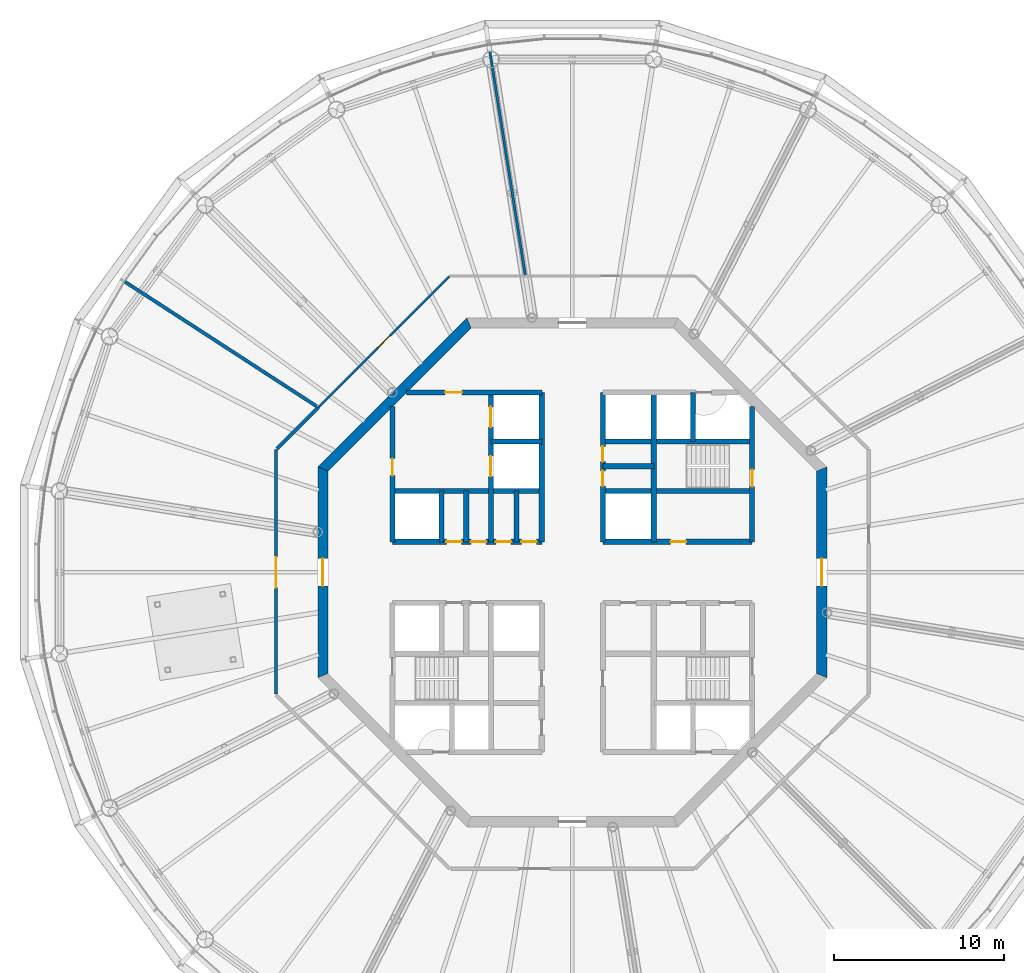
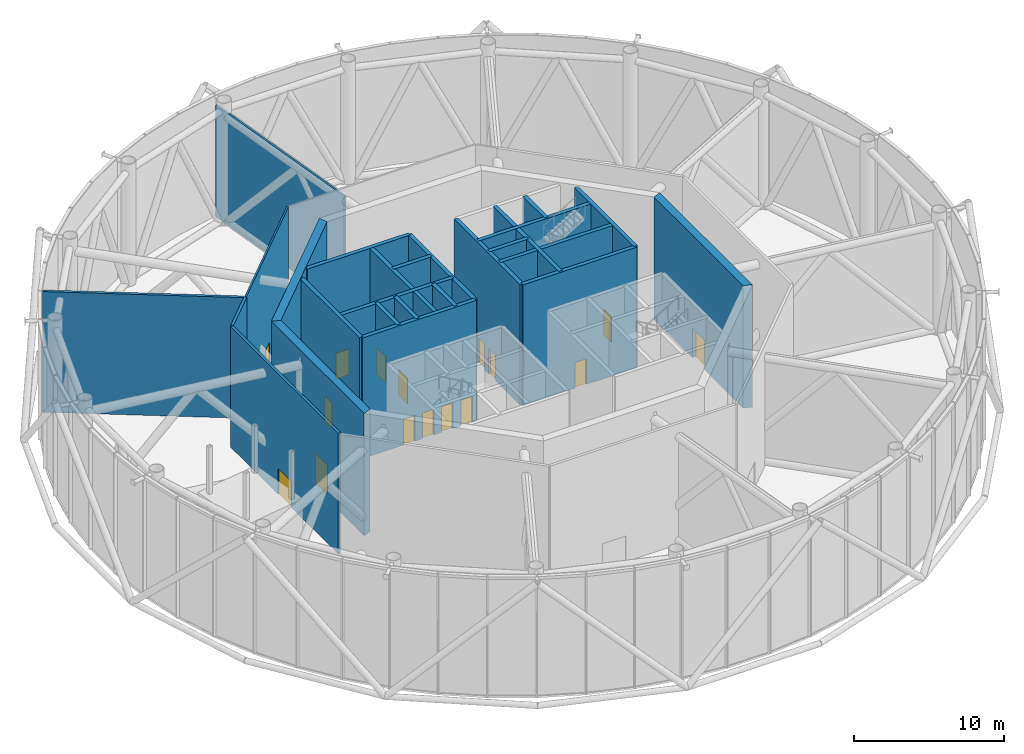
# One storey, part 7 of 23: 26 walls, 16 doors, 16 openings.
"""IFC4 building model written with IfcOpenShell, lengths in metres."""

from ifc_helpers import new_model, si_unit, direction, frame, frame_2d, origin, place, context, subcontext, project, spatial, polyline, rectangle, outline, extrude, material, layer, layer_set, type_object, element, fill, save


model = new_model("IFC4")

# Units and contexts
model_context = context("Model", 3, precision=1e-05, world=origin(), true_north=direction((0.0, 1.0)))
body_context = subcontext(model_context, "Body", "Model", "MODEL_VIEW")
ifc_project = project(units=[si_unit("LENGTHUNIT", "METRE"), si_unit("AREAUNIT", "SQUARE_METRE"), si_unit("VOLUMEUNIT", "CUBIC_METRE"), si_unit("PLANEANGLEUNIT", "RADIAN"), si_unit("MASSUNIT", "GRAM", prefix="KILO")], contexts=[model_context])

# Site, building, storey
site_placement = place(None, origin())
site = spatial("IfcSite", under=ifc_project, at=site_placement, CompositionType="ELEMENT")
building_placement = place(site_placement, origin())
building = spatial("IfcBuilding", under=site, at=building_placement, Name="Entoto Ring Tower", CompositionType="ELEMENT")
storey_placement = place(building_placement, frame((0.0, 0.0, 392.0)))
storey = spatial("IfcBuildingStorey", under=building, at=storey_placement, Name="L91", CompositionType="ELEMENT", Elevation=392.0)

# Wall, opening, door
ifc_material_1 = material(Name="Concrete C40/50", Category="concrete")
ifc_layer_1 = layer(ifc_material_1, 0.300048828125)
ifc_layer_set_1 = layer_set([ifc_layer_1], Name="Concrete C40/50")
wall_type_1 = type_object("IfcWallType", Name="Core enclosure wall 300 mm reinforced concrete", PredefinedType="SOLIDWALL", material=ifc_layer_set_1)
wall_1_placement = place(storey_placement, frame((100.60009765625, 81.800048828125, 0.0), z_axis=(0.0, 0.0, 1.0), x_axis=(0.0, 1.0, 0.0)))
wall_1 = element("IfcWall", 1, at=wall_1_placement, inside=storey, type_object=wall_type_1, Name="wall-L91-002", PredefinedType="SOLIDWALL", context=body_context, shape_type="SweptSolid", body=[
    extrude(rectangle(XDim=7.964599609375, YDim=0.300048828125, at=frame_2d((3.982421875, 0.0))), origin(), (0.0, 0.0, 1.0), 9.85009765625),
])
opening_1_placement = place(wall_1_placement, frame((3.25, 0.0, 0.0)))
opening_1 = element("IfcOpeningElement", 2, at=opening_1_placement, cuts=wall_1, Name="Opening K-65", PredefinedType="OPENING", context=body_context, shape_type="SweptSolid", body=[
    extrude(rectangle(XDim=1.0, YDim=2.10009765625, at=frame_2d((0.5, 1.050048828125))), frame((0.0, 0.16015625, 0.0), z_axis=(0.0, -1.0, 0.0), x_axis=(1.0, 0.0, 0.0)), (0.0, 0.0, 1.0), 0.320068359375),
])
ifc_material_2 = material(Name="Steel door leaf, fire rated", Category="steel")
ifc_layer_2 = layer(ifc_material_2, 0.050048828125)
ifc_layer_set_2 = layer_set([ifc_layer_2], Name="Steel door leaf, fire rated")
door_type_1 = type_object("IfcDoorType", Name="Fire door FD60 1000 x 2100 single leaf", OperationType="NOTDEFINED", PredefinedType="DOOR", material=ifc_layer_set_2)
door_1_placement = place(opening_1_placement, origin())
door_1 = element("IfcDoor", 3, at=door_1_placement, inside=storey, type_object=door_type_1, Name="Door K-65", OperationType="SINGLE_SWING_LEFT", OverallHeight=2.10009765625, OverallWidth=1.0, PredefinedType="DOOR", context=body_context, shape_type="SweptSolid", body=[
    extrude(rectangle(XDim=1.0, YDim=2.10009765625, at=frame_2d((0.5, 1.050048828125))), frame((0.0, 0.02490234375, 0.0), z_axis=(0.0, -1.0, 0.0), x_axis=(1.0, 0.0, 0.0)), (0.0, 0.0, 1.0), 0.050048828125),
])
fill(opening_1, door_1)

# Walls
wall_2_placement = place(storey_placement, frame((97.10009765625, 87.699951171875, 0.0), z_axis=(0.0, 0.0, 1.0), x_axis=(0.0, 1.0, 0.0)))
element("IfcWall", 4, at=wall_2_placement, inside=storey, type_object=wall_type_1, Name="wall-L91-005", PredefinedType="SOLIDWALL", context=body_context, shape_type="SweptSolid", body=[
    extrude(rectangle(XDim=2.900146484375, YDim=0.300048828125, at=frame_2d((1.4501953125, 0.0))), origin(), (0.0, 0.0, 1.0), 9.85009765625),
])
wall_3_placement = place(storey_placement, frame((94.800048828125, 81.800048828125, 0.0), z_axis=(0.0, 0.0, 1.0), x_axis=(0.0, 1.0, 0.0)))
element("IfcWall", 5, at=wall_3_placement, inside=storey, type_object=wall_type_1, Name="wall-L91-007", PredefinedType="SOLIDWALL", context=body_context, shape_type="SweptSolid", body=[
    extrude(rectangle(XDim=8.800048828125, YDim=0.300048828125, at=frame_2d((4.39990234375, 0.0))), origin(), (0.0, 0.0, 1.0), 9.85009765625),
])

# Wall, openings, doors
wall_4_placement = place(storey_placement, frame((91.800048828125, 81.800048828125, 0.0), z_axis=(0.0, 0.0, 1.0), x_axis=(0.0, 1.0, 0.0)))
wall_4 = element("IfcWall", 6, at=wall_4_placement, inside=storey, type_object=wall_type_1, Name="wall-L91-009", PredefinedType="SOLIDWALL", context=body_context, shape_type="SweptSolid", body=[
    extrude(rectangle(XDim=8.800048828125, YDim=0.300048828125, at=frame_2d((4.39990234375, 0.0))), origin(), (0.0, 0.0, 1.0), 9.85009765625),
])
opening_2_placement = place(wall_4_placement, frame((3.27490234375, 0.0, 0.0)))
opening_2 = element("IfcOpeningElement", 7, at=opening_2_placement, cuts=wall_4, Name="Opening K-12", PredefinedType="OPENING", context=body_context, shape_type="SweptSolid", body=[
    extrude(rectangle(XDim=0.89990234375, YDim=2.10009765625, at=frame_2d((0.449951171875, 1.050048828125))), frame((0.0, 0.16015625, 0.0), z_axis=(0.0, -1.0, 0.0), x_axis=(1.0, 0.0, 0.0)), (0.0, 0.0, 1.0), 0.320068359375),
])
opening_3_placement = place(wall_4_placement, frame((4.72509765625, 0.0, 0.0)))
opening_3 = element("IfcOpeningElement", 8, at=opening_3_placement, cuts=wall_4, Name="Opening K-46", PredefinedType="OPENING", context=body_context, shape_type="SweptSolid", body=[
    extrude(rectangle(XDim=0.89990234375, YDim=2.10009765625, at=frame_2d((0.449951171875, 1.050048828125))), frame((0.0, 0.16015625, 0.0), z_axis=(0.0, -1.0, 0.0), x_axis=(1.0, 0.0, 0.0)), (0.0, 0.0, 1.0), 0.320068359375),
])
ifc_material_3 = material(Name="Steel door leaf, fire rated", Category="steel")
ifc_layer_3 = layer(ifc_material_3, 0.050048828125)
ifc_layer_set_3 = layer_set([ifc_layer_3], Name="Steel door leaf, fire rated")
door_type_2 = type_object("IfcDoorType", Name="Core door 900 x 2100 single leaf", OperationType="NOTDEFINED", PredefinedType="DOOR", material=ifc_layer_set_3)
door_2_placement = place(opening_2_placement, origin())
door_2 = element("IfcDoor", 9, at=door_2_placement, inside=storey, type_object=door_type_2, Name="Door K-12", OperationType="SINGLE_SWING_RIGHT", OverallHeight=2.10009765625, OverallWidth=0.89990234375, PredefinedType="DOOR", context=body_context, shape_type="SweptSolid", body=[
    extrude(rectangle(XDim=0.89990234375, YDim=2.10009765625, at=frame_2d((0.449951171875, 1.050048828125))), frame((0.0, 0.02490234375, 0.0), z_axis=(0.0, -1.0, 0.0), x_axis=(1.0, 0.0, 0.0)), (0.0, 0.0, 1.0), 0.050048828125),
])
fill(opening_2, door_2)
door_3_placement = place(opening_3_placement, origin())
door_3 = element("IfcDoor", 10, at=door_3_placement, inside=storey, type_object=door_type_2, Name="Door K-46", OperationType="SINGLE_SWING_RIGHT", OverallHeight=2.10009765625, OverallWidth=0.89990234375, PredefinedType="DOOR", context=body_context, shape_type="SweptSolid", body=[
    extrude(rectangle(XDim=0.89990234375, YDim=2.10009765625, at=frame_2d((0.449951171875, 1.050048828125))), frame((0.0, 0.02490234375, 0.0), z_axis=(0.0, -1.0, 0.0), x_axis=(1.0, 0.0, 0.0)), (0.0, 0.0, 1.0), 0.050048828125),
])
fill(opening_3, door_3)

# Walls
wall_5_placement = place(storey_placement, frame((88.199951171875, 81.800048828125, 0.0), z_axis=(0.0, 0.0, 1.0), x_axis=(0.0, 1.0, 0.0)))
element("IfcWall", 11, at=wall_5_placement, inside=storey, type_object=wall_type_1, Name="wall-L91-011", PredefinedType="SOLIDWALL", context=body_context, shape_type="SweptSolid", body=[
    extrude(rectangle(XDim=8.800048828125, YDim=0.300048828125, at=frame_2d((4.39990234375, 0.0))), origin(), (0.0, 0.0, 1.0), 9.85009765625),
])
wall_6_placement = place(storey_placement, frame((86.699951171875, 81.800048828125, 0.0), z_axis=(0.0, 0.0, 1.0), x_axis=(0.0, 1.0, 0.0)))
element("IfcWall", 12, at=wall_6_placement, inside=storey, type_object=wall_type_1, Name="wall-L91-012", PredefinedType="SOLIDWALL", context=body_context, shape_type="SweptSolid", body=[
    extrude(rectangle(XDim=3.0, YDim=0.300048828125, at=frame_2d((1.5, 0.0))), origin(), (0.0, 0.0, 1.0), 9.85009765625),
])

# Wall, openings, doors
wall_7_placement = place(storey_placement, frame((85.199951171875, 81.800048828125, 0.0), z_axis=(0.0, 0.0, 1.0), x_axis=(0.0, 1.0, 0.0)))
wall_7 = element("IfcWall", 13, at=wall_7_placement, inside=storey, type_object=wall_type_1, Name="wall-L91-014", PredefinedType="SOLIDWALL", context=body_context, shape_type="SweptSolid", body=[
    extrude(rectangle(XDim=8.800048828125, YDim=0.300048828125, at=frame_2d((4.39990234375, 0.0))), origin(), (0.0, 0.0, 1.0), 9.85009765625),
])
opening_4_placement = place(wall_7_placement, frame((3.85009765625, 0.0, 0.0)))
opening_4 = element("IfcOpeningElement", 14, at=opening_4_placement, cuts=wall_7, Name="Opening LD", PredefinedType="OPENING", context=body_context, shape_type="SweptSolid", body=[
    extrude(rectangle(XDim=1.199951171875, YDim=2.10009765625, at=frame_2d((0.60009765625, 1.050048828125))), frame((0.0, 0.16015625, 0.0), z_axis=(0.0, -1.0, 0.0), x_axis=(1.0, 0.0, 0.0)), (0.0, 0.0, 1.0), 0.320068359375),
])
opening_5_placement = place(wall_7_placement, frame((6.75, 0.0, 0.0)))
opening_5 = element("IfcOpeningElement", 15, at=opening_5_placement, cuts=wall_7, Name="Opening LD", PredefinedType="OPENING", context=body_context, shape_type="SweptSolid", body=[
    extrude(rectangle(XDim=1.199951171875, YDim=2.10009765625, at=frame_2d((0.60009765625, 1.050048828125))), frame((0.0, 0.16015625, 0.0), z_axis=(0.0, -1.0, 0.0), x_axis=(1.0, 0.0, 0.0)), (0.0, 0.0, 1.0), 0.320068359375),
])
ifc_material_4 = material(Name="Steel and glass door leaf", Category="steel")
ifc_layer_4 = layer(ifc_material_4, 0.050048828125)
ifc_layer_set_4 = layer_set([ifc_layer_4], Name="Steel and glass door leaf")
door_type_3 = type_object("IfcDoorType", Name="Landing door 1200 x 2100 sliding", OperationType="DOUBLE_DOOR_SLIDING", PredefinedType="DOOR", material=ifc_layer_set_4)
door_4_placement = place(opening_4_placement, origin())
door_4 = element("IfcDoor", 16, at=door_4_placement, inside=storey, type_object=door_type_3, Name="Landing door FF1", OperationType="SLIDING_TO_RIGHT", OverallHeight=2.10009765625, OverallWidth=1.199951171875, PredefinedType="DOOR", context=body_context, shape_type="SweptSolid", body=[
    extrude(rectangle(XDim=1.199951171875, YDim=2.10009765625, at=frame_2d((0.60009765625, 1.050048828125))), frame((0.0, 0.02490234375, 0.0), z_axis=(0.0, -1.0, 0.0), x_axis=(1.0, 0.0, 0.0)), (0.0, 0.0, 1.0), 0.050048828125),
])
fill(opening_4, door_4)
door_5_placement = place(opening_5_placement, origin())
door_5 = element("IfcDoor", 17, at=door_5_placement, inside=storey, type_object=door_type_3, Name="Landing door FF2", OperationType="SLIDING_TO_RIGHT", OverallHeight=2.10009765625, OverallWidth=1.199951171875, PredefinedType="DOOR", context=body_context, shape_type="SweptSolid", body=[
    extrude(rectangle(XDim=1.199951171875, YDim=2.10009765625, at=frame_2d((0.60009765625, 1.050048828125))), frame((0.0, 0.02490234375, 0.0), z_axis=(0.0, -1.0, 0.0), x_axis=(1.0, 0.0, 0.0)), (0.0, 0.0, 1.0), 0.050048828125),
])
fill(opening_5, door_5)

# Walls
for number, where, z_axis, x_axis, name in (
    (18, (83.75, 81.800048828125, 0.0), (0.0, 0.0, 1.0), (0.0, 1.0, 0.0), "wall-L91-016"),
    (19, (82.300048828125, 81.800048828125, 0.0), (0.0, 0.0, 1.0), (0.0, 1.0, 0.0), "wall-L91-019"),
):
    element("IfcWall", number, at=place(storey_placement, frame(where, z_axis=z_axis, x_axis=x_axis)), inside=storey, type_object=wall_type_1, Name=name, PredefinedType="SOLIDWALL", context=body_context, shape_type="SweptSolid", body=[
        extrude(rectangle(XDim=3.0, YDim=0.300048828125, at=frame_2d((1.5, 0.0))), origin(), (0.0, 0.0, 1.0), 9.85009765625),
    ])

# Wall, opening, door
wall_8_placement = place(storey_placement, frame((79.39990234375, 81.800048828125, 0.0), z_axis=(0.0, 0.0, 1.0), x_axis=(0.0, 1.0, 0.0)))
wall_8 = element("IfcWall", 20, at=wall_8_placement, inside=storey, type_object=wall_type_1, Name="wall-L91-021", PredefinedType="SOLIDWALL", context=body_context, shape_type="SweptSolid", body=[
    extrude(rectangle(XDim=7.964599609375, YDim=0.300048828125, at=frame_2d((3.982421875, 0.0))), origin(), (0.0, 0.0, 1.0), 9.85009765625),
])
opening_6_placement = place(wall_8_placement, frame((3.89990234375, 0.0, 0.0)))
opening_6 = element("IfcOpeningElement", 21, at=opening_6_placement, cuts=wall_8, Name="Opening K-26", PredefinedType="OPENING", context=body_context, shape_type="SweptSolid", body=[
    extrude(rectangle(XDim=1.0, YDim=2.10009765625, at=frame_2d((0.5, 1.050048828125))), frame((0.0, 0.16015625, 0.0), z_axis=(0.0, -1.0, 0.0), x_axis=(1.0, 0.0, 0.0)), (0.0, 0.0, 1.0), 0.320068359375),
])
door_6_placement = place(opening_6_placement, frame((1.0, 0.0, 0.0), z_axis=(0.0, 0.0, 1.0), x_axis=(-1.0, 0.0, 0.0)))
door_6 = element("IfcDoor", 22, at=door_6_placement, inside=storey, type_object=door_type_1, Name="Door K-26", OperationType="SINGLE_SWING_LEFT", OverallHeight=2.10009765625, OverallWidth=1.0, PredefinedType="DOOR", context=body_context, shape_type="SweptSolid", body=[
    extrude(rectangle(XDim=1.0, YDim=2.10009765625, at=frame_2d((0.5, 1.050048828125))), frame((0.0, 0.02490234375, 0.0), z_axis=(0.0, -1.0, 0.0), x_axis=(1.0, 0.0, 0.0)), (0.0, 0.0, 1.0), 0.050048828125),
])
fill(opening_6, door_6)

# Wall, openings, doors
wall_9_placement = place(storey_placement, frame((79.39990234375, 81.800048828125, 0.0), z_axis=(0.0, 0.0, 1.0), x_axis=(1.0, 0.0, 0.0)))
wall_9 = element("IfcWall", 23, at=wall_9_placement, inside=storey, type_object=wall_type_1, Name="wall-L91-030", PredefinedType="SOLIDWALL", context=body_context, shape_type="SweptSolid", body=[
    extrude(rectangle(XDim=8.800048828125, YDim=0.300048828125, at=frame_2d((4.39990234375, 0.0))), origin(), (0.0, 0.0, 1.0), 9.85009765625),
])
opening_7_placement = place(wall_9_placement, frame((3.175048828125, 0.0, 0.0)))
opening_7 = element("IfcOpeningElement", 24, at=opening_7_placement, cuts=wall_9, Name="Opening K-06", PredefinedType="OPENING", context=body_context, shape_type="SweptSolid", body=[
    extrude(rectangle(XDim=0.89990234375, YDim=2.10009765625, at=frame_2d((0.449951171875, 1.050048828125))), frame((0.0, 0.16015625, 0.0), z_axis=(0.0, -1.0, 0.0), x_axis=(1.0, 0.0, 0.0)), (0.0, 0.0, 1.0), 0.320068359375),
])
opening_8_placement = place(wall_9_placement, frame((4.625, 0.0, 0.0)))
opening_8 = element("IfcOpeningElement", 25, at=opening_8_placement, cuts=wall_9, Name="Opening K-07", PredefinedType="OPENING", context=body_context, shape_type="SweptSolid", body=[
    extrude(rectangle(XDim=0.89990234375, YDim=2.10009765625, at=frame_2d((0.449951171875, 1.050048828125))), frame((0.0, 0.16015625, 0.0), z_axis=(0.0, -1.0, 0.0), x_axis=(1.0, 0.0, 0.0)), (0.0, 0.0, 1.0), 0.320068359375),
])
opening_9_placement = place(wall_9_placement, frame((6.10009765625, 0.0, 0.0)))
opening_9 = element("IfcOpeningElement", 26, at=opening_9_placement, cuts=wall_9, Name="Opening K-57", PredefinedType="OPENING", context=body_context, shape_type="SweptSolid", body=[
    extrude(rectangle(XDim=0.89990234375, YDim=2.10009765625, at=frame_2d((0.449951171875, 1.050048828125))), frame((0.0, 0.16015625, 0.0), z_axis=(0.0, -1.0, 0.0), x_axis=(1.0, 0.0, 0.0)), (0.0, 0.0, 1.0), 0.320068359375),
])
opening_10_placement = place(wall_9_placement, frame((7.60009765625, 0.0, 0.0)))
opening_10 = element("IfcOpeningElement", 27, at=opening_10_placement, cuts=wall_9, Name="Opening K-18", PredefinedType="OPENING", context=body_context, shape_type="SweptSolid", body=[
    extrude(rectangle(XDim=0.89990234375, YDim=2.10009765625, at=frame_2d((0.449951171875, 1.050048828125))), frame((0.0, 0.16015625, 0.0), z_axis=(0.0, -1.0, 0.0), x_axis=(1.0, 0.0, 0.0)), (0.0, 0.0, 1.0), 0.320068359375),
])
door_7_placement = place(opening_7_placement, frame((0.89990234375, 0.0, 0.0), z_axis=(0.0, 0.0, 1.0), x_axis=(-1.0, 0.0, 0.0)))
door_7 = element("IfcDoor", 28, at=door_7_placement, inside=storey, type_object=door_type_2, Name="Door K-06", OperationType="SINGLE_SWING_RIGHT", OverallHeight=2.10009765625, OverallWidth=0.89990234375, PredefinedType="DOOR", context=body_context, shape_type="SweptSolid", body=[
    extrude(rectangle(XDim=0.89990234375, YDim=2.10009765625, at=frame_2d((0.449951171875, 1.050048828125))), frame((0.0, 0.02490234375, 0.0), z_axis=(0.0, -1.0, 0.0), x_axis=(1.0, 0.0, 0.0)), (0.0, 0.0, 1.0), 0.050048828125),
])
fill(opening_7, door_7)
door_8_placement = place(opening_8_placement, frame((0.89990234375, 0.0, 0.0), z_axis=(0.0, 0.0, 1.0), x_axis=(-1.0, 0.0, 0.0)))
door_8 = element("IfcDoor", 29, at=door_8_placement, inside=storey, type_object=door_type_2, Name="Door K-07", OperationType="SINGLE_SWING_RIGHT", OverallHeight=2.10009765625, OverallWidth=0.89990234375, PredefinedType="DOOR", context=body_context, shape_type="SweptSolid", body=[
    extrude(rectangle(XDim=0.89990234375, YDim=2.10009765625, at=frame_2d((0.449951171875, 1.050048828125))), frame((0.0, 0.02490234375, 0.0), z_axis=(0.0, -1.0, 0.0), x_axis=(1.0, 0.0, 0.0)), (0.0, 0.0, 1.0), 0.050048828125),
])
fill(opening_8, door_8)
door_9_placement = place(opening_9_placement, frame((0.89990234375, 0.0, 0.0), z_axis=(0.0, 0.0, 1.0), x_axis=(-1.0, 0.0, 0.0)))
door_9 = element("IfcDoor", 30, at=door_9_placement, inside=storey, type_object=door_type_2, Name="Door K-57", OperationType="SINGLE_SWING_RIGHT", OverallHeight=2.10009765625, OverallWidth=0.89990234375, PredefinedType="DOOR", context=body_context, shape_type="SweptSolid", body=[
    extrude(rectangle(XDim=0.89990234375, YDim=2.10009765625, at=frame_2d((0.449951171875, 1.050048828125))), frame((0.0, 0.02490234375, 0.0), z_axis=(0.0, -1.0, 0.0), x_axis=(1.0, 0.0, 0.0)), (0.0, 0.0, 1.0), 0.050048828125),
])
fill(opening_9, door_9)
door_10_placement = place(opening_10_placement, frame((0.89990234375, 0.0, 0.0), z_axis=(0.0, 0.0, 1.0), x_axis=(-1.0, 0.0, 0.0)))
door_10 = element("IfcDoor", 31, at=door_10_placement, inside=storey, type_object=door_type_2, Name="Door K-18", OperationType="SINGLE_SWING_RIGHT", OverallHeight=2.10009765625, OverallWidth=0.89990234375, PredefinedType="DOOR", context=body_context, shape_type="SweptSolid", body=[
    extrude(rectangle(XDim=0.89990234375, YDim=2.10009765625, at=frame_2d((0.449951171875, 1.050048828125))), frame((0.0, 0.02490234375, 0.0), z_axis=(0.0, -1.0, 0.0), x_axis=(1.0, 0.0, 0.0)), (0.0, 0.0, 1.0), 0.050048828125),
])
fill(opening_10, door_10)

# Wall, opening, door
wall_10_placement = place(storey_placement, frame((91.800048828125, 81.800048828125, 0.0), z_axis=(0.0, 0.0, 1.0), x_axis=(1.0, 0.0, 0.0)))
wall_10 = element("IfcWall", 32, at=wall_10_placement, inside=storey, type_object=wall_type_1, Name="wall-L91-031", PredefinedType="SOLIDWALL", context=body_context, shape_type="SweptSolid", body=[
    extrude(rectangle(XDim=8.800048828125, YDim=0.300048828125, at=frame_2d((4.39990234375, 0.0))), origin(), (0.0, 0.0, 1.0), 9.85009765625),
])
opening_11_placement = place(wall_10_placement, frame((4.0, 0.0, 0.0)))
opening_11 = element("IfcOpeningElement", 33, at=opening_11_placement, cuts=wall_10, Name="Opening K-05", PredefinedType="OPENING", context=body_context, shape_type="SweptSolid", body=[
    extrude(rectangle(XDim=0.89990234375, YDim=2.10009765625, at=frame_2d((0.449951171875, 1.050048828125))), frame((0.0, 0.16015625, 0.0), z_axis=(0.0, -1.0, 0.0), x_axis=(1.0, 0.0, 0.0)), (0.0, 0.0, 1.0), 0.320068359375),
])
door_11_placement = place(opening_11_placement, origin())
door_11 = element("IfcDoor", 34, at=door_11_placement, inside=storey, type_object=door_type_2, Name="Door K-05", OperationType="SINGLE_SWING_LEFT", OverallHeight=2.10009765625, OverallWidth=0.89990234375, PredefinedType="DOOR", context=body_context, shape_type="SweptSolid", body=[
    extrude(rectangle(XDim=0.89990234375, YDim=2.10009765625, at=frame_2d((0.449951171875, 1.050048828125))), frame((0.0, 0.02490234375, 0.0), z_axis=(0.0, -1.0, 0.0), x_axis=(1.0, 0.0, 0.0)), (0.0, 0.0, 1.0), 0.050048828125),
])
fill(opening_11, door_11)

# Walls
for number, where, z_axis, x_axis, name in (
    (35, (79.39990234375, 84.800048828125, 0.0), (0.0, 0.0, 1.0), (1.0, 0.0, 0.0), "wall-L91-032"),
    (36, (91.800048828125, 84.800048828125, 0.0), (0.0, 0.0, 1.0), (1.0, 0.0, 0.0), "wall-L91-033"),
):
    element("IfcWall", number, at=place(storey_placement, frame(where, z_axis=z_axis, x_axis=x_axis)), inside=storey, type_object=wall_type_1, Name=name, PredefinedType="SOLIDWALL", context=body_context, shape_type="SweptSolid", body=[
        extrude(rectangle(XDim=8.800048828125, YDim=0.300048828125, at=frame_2d((4.39990234375, 0.0))), origin(), (0.0, 0.0, 1.0), 9.85009765625),
    ])
for number, where, z_axis, x_axis, name in (
    (37, (91.800048828125, 86.25, 0.0), (0.0, 0.0, 1.0), (1.0, 0.0, 0.0), "wall-L91-034"),
    (38, (85.199951171875, 87.699951171875, 0.0), (0.0, 0.0, 1.0), (1.0, 0.0, 0.0), "wall-L91-035"),
):
    element("IfcWall", number, at=place(storey_placement, frame(where, z_axis=z_axis, x_axis=x_axis)), inside=storey, type_object=wall_type_1, Name=name, PredefinedType="SOLIDWALL", context=body_context, shape_type="SweptSolid", body=[
        extrude(rectangle(XDim=3.0, YDim=0.300048828125, at=frame_2d((1.5, 0.0))), origin(), (0.0, 0.0, 1.0), 9.85009765625),
    ])
wall_11_placement = place(storey_placement, frame((91.800048828125, 87.699951171875, 0.0), z_axis=(0.0, 0.0, 1.0), x_axis=(1.0, 0.0, 0.0)))
element("IfcWall", 39, at=wall_11_placement, inside=storey, type_object=wall_type_1, Name="wall-L91-036", PredefinedType="SOLIDWALL", context=body_context, shape_type="SweptSolid", body=[
    extrude(rectangle(XDim=8.800048828125, YDim=0.300048828125, at=frame_2d((4.39990234375, 0.0))), origin(), (0.0, 0.0, 1.0), 9.85009765625),
])

# Wall, opening, door
wall_12_placement = place(storey_placement, frame((80.2353515625, 90.60009765625, 0.0), z_axis=(0.0, 0.0, 1.0), x_axis=(1.0, 0.0, 0.0)))
wall_12 = element("IfcWall", 40, at=wall_12_placement, inside=storey, type_object=wall_type_1, Name="wall-L91-037", PredefinedType="SOLIDWALL", context=body_context, shape_type="SweptSolid", body=[
    extrude(rectangle(XDim=7.964599609375, YDim=0.300048828125, at=frame_2d((3.982421875, 0.0))), origin(), (0.0, 0.0, 1.0), 9.85009765625),
])
opening_12_placement = place(wall_12_placement, frame((2.2646484375, 0.0, 0.0)))
opening_12 = element("IfcOpeningElement", 41, at=opening_12_placement, cuts=wall_12, Name="Opening K-27", PredefinedType="OPENING", context=body_context, shape_type="SweptSolid", body=[
    extrude(rectangle(XDim=1.0, YDim=2.10009765625, at=frame_2d((0.5, 1.050048828125))), frame((0.0, 0.16015625, 0.0), z_axis=(0.0, -1.0, 0.0), x_axis=(1.0, 0.0, 0.0)), (0.0, 0.0, 1.0), 0.320068359375),
])
door_12_placement = place(opening_12_placement, frame((1.0, 0.0, 0.0), z_axis=(0.0, 0.0, 1.0), x_axis=(-1.0, 0.0, 0.0)))
door_12 = element("IfcDoor", 42, at=door_12_placement, inside=storey, type_object=door_type_1, Name="Door K-27", OperationType="SINGLE_SWING_RIGHT", OverallHeight=2.10009765625, OverallWidth=1.0, PredefinedType="DOOR", context=body_context, shape_type="SweptSolid", body=[
    extrude(rectangle(XDim=1.0, YDim=2.10009765625, at=frame_2d((0.5, 1.050048828125))), frame((0.0, 0.02490234375, 0.0), z_axis=(0.0, -1.0, 0.0), x_axis=(1.0, 0.0, 0.0)), (0.0, 0.0, 1.0), 0.050048828125),
])
fill(opening_12, door_12)

ifc_material_5 = material(Name="Concrete C40/50", Category="concrete")
ifc_layer_5 = layer(ifc_material_5, 0.60009765625)
ifc_layer_set_5 = layer_set([ifc_layer_5], Name="Concrete C40/50")
wall_type_2 = type_object("IfcWallType", Name="Core shear wall 600 mm reinforced concrete C40/50", PredefinedType="SHEAR", material=ifc_layer_set_5)
wall_13_placement = place(storey_placement, frame((104.699951171875, 73.9111328125, 0.0), z_axis=(0.0, 0.0, 1.0), x_axis=(0.0, 1.0, 0.0)))
wall_13 = element("IfcWall", 43, at=wall_13_placement, inside=storey, type_object=wall_type_2, Name="wall-L91-core-0", PredefinedType="SHEAR", context=body_context, shape_type="SweptSolid", body=[
    extrude(outline(polyline([(-0.124267578125, -0.300048828125), (12.302001953125, -0.300048828125), (12.053466796875, 0.300048828125), (0.124267578125, 0.300048828125), (-0.124267578125, -0.300048828125)])), origin(), (0.0, 0.0, 1.0), 10.0),
])
opening_13_placement = place(wall_13_placement, frame((5.288818359375, 0.0, 0.0)))
opening_13 = element("IfcOpeningElement", 44, at=opening_13_placement, cuts=wall_13, Name="Opening K-01", PredefinedType="OPENING", context=body_context, shape_type="SweptSolid", body=[
    extrude(rectangle(XDim=1.60009765625, YDim=2.39990234375, at=frame_2d((0.800048828125, 1.199951171875))), frame((0.0, 0.31005859375, 0.0), z_axis=(0.0, -1.0, 0.0), x_axis=(1.0, 0.0, 0.0)), (0.0, 0.0, 1.0), 0.6201171875),
])
ifc_material_6 = material(Name="Steel door leaf, fire rated", Category="steel")
ifc_layer_6 = layer(ifc_material_6, 0.050048828125)
ifc_layer_set_6 = layer_set([ifc_layer_6], Name="Steel door leaf, fire rated")
door_type_4 = type_object("IfcDoorType", Name="Entrance door FD60 1600 x 2400 double leaf", OperationType="DOUBLE_DOOR_SINGLE_SWING", PredefinedType="DOOR", material=ifc_layer_set_6)
door_13_placement = place(opening_13_placement, origin())
door_13 = element("IfcDoor", 45, at=door_13_placement, inside=storey, type_object=door_type_4, Name="Entrance door K-01", OperationType="DOUBLE_DOOR_SINGLE_SWING", OverallHeight=2.39990234375, OverallWidth=1.60009765625, PredefinedType="DOOR", context=body_context, shape_type="SweptSolid", body=[
    extrude(rectangle(XDim=1.60009765625, YDim=2.39990234375, at=frame_2d((0.800048828125, 1.199951171875))), frame((0.0, 0.02490234375, 0.0), z_axis=(0.0, -1.0, 0.0), x_axis=(1.0, 0.0, 0.0)), (0.0, 0.0, 1.0), 0.050048828125),
])
fill(opening_13, door_13)

# Wall
wall_14_placement = place(storey_placement, frame((83.9111328125, 94.699951171875, 0.0), z_axis=(0.0, 0.0, 1.0), x_axis=(-0.707106781187, -0.707106781187, 0.0)))
element("IfcWall", 46, at=wall_14_placement, inside=storey, type_object=wall_type_2, Name="wall-L91-core-3", PredefinedType="SHEAR", context=body_context, shape_type="SweptSolid", body=[
    extrude(outline(polyline([(-0.124267578125, -0.300048828125), (12.30224609375, -0.300048828125), (12.0537109375, 0.300048828125), (0.124267578125, 0.300048828125), (-0.124267578125, -0.300048828125)])), origin(), (0.0, 0.0, 1.0), 10.0),
])

# Wall, opening, door
wall_15_placement = place(storey_placement, frame((75.300048828125, 86.0888671875, 0.0), z_axis=(0.0, 0.0, 1.0), x_axis=(0.0, -1.0, 0.0)))
wall_15 = element("IfcWall", 47, at=wall_15_placement, inside=storey, type_object=wall_type_2, Name="wall-L91-core-4", PredefinedType="SHEAR", context=body_context, shape_type="SweptSolid", body=[
    extrude(outline(polyline([(-0.124267578125, -0.300048828125), (12.302001953125, -0.300048828125), (12.053466796875, 0.300048828125), (0.124267578125, 0.300048828125), (-0.124267578125, -0.300048828125)])), origin(), (0.0, 0.0, 1.0), 10.0),
])
opening_14_placement = place(wall_15_placement, frame((5.288818359375, 0.0, 0.0)))
opening_14 = element("IfcOpeningElement", 48, at=opening_14_placement, cuts=wall_15, Name="Opening K-03", PredefinedType="OPENING", context=body_context, shape_type="SweptSolid", body=[
    extrude(rectangle(XDim=1.60009765625, YDim=2.39990234375, at=frame_2d((0.800048828125, 1.199951171875))), frame((0.0, 0.31005859375, 0.0), z_axis=(0.0, -1.0, 0.0), x_axis=(1.0, 0.0, 0.0)), (0.0, 0.0, 1.0), 0.6201171875),
])
door_14_placement = place(opening_14_placement, origin())
door_14 = element("IfcDoor", 49, at=door_14_placement, inside=storey, type_object=door_type_4, Name="Entrance door K-03", OperationType="DOUBLE_DOOR_SINGLE_SWING", OverallHeight=2.39990234375, OverallWidth=1.60009765625, PredefinedType="DOOR", context=body_context, shape_type="SweptSolid", body=[
    extrude(rectangle(XDim=1.60009765625, YDim=2.39990234375, at=frame_2d((0.800048828125, 1.199951171875))), frame((0.0, 0.02490234375, 0.0), z_axis=(0.0, -1.0, 0.0), x_axis=(1.0, 0.0, 0.0)), (0.0, 0.0, 1.0), 0.050048828125),
])
fill(opening_14, door_14)

ifc_material_7 = material(Name="Fire-resisting plasterboard on steel studs", Category="steel")
ifc_layer_7 = layer(ifc_material_7, 0.125)
ifc_layer_set_7 = layer_set([ifc_layer_7], Name="Fire-resisting plasterboard on steel studs")
wall_type_3 = type_object("IfcWallType", Name="Corridor wall 125 mm one-hour plasterboard on steel studs", PredefinedType="PARTITIONING", material=ifc_layer_set_7)
wall_16_placement = place(storey_placement, frame((75.027587890625, 89.72314453125, 0.0), z_axis=(0.0, 0.0, 1.0), x_axis=(0.707095582954, 0.707117979242, 0.0)))
wall_16 = element("IfcWall", 50, at=wall_16_placement, inside=storey, type_object=wall_type_3, Name="partition-L91-002", PredefinedType="PARTITIONING", context=body_context, shape_type="SweptSolid", body=[
    extrude(rectangle(XDim=10.90087890625, YDim=0.125, at=frame_2d((5.450439453125, 0.0))), origin(), (0.0, 0.0, 1.0), 9.85009765625),
])
opening_15_placement = place(wall_16_placement, frame((4.972412109375, 0.0, 0.0)))
opening_15 = element("IfcOpeningElement", 51, at=opening_15_placement, cuts=wall_16, Name="Opening A39-D08", PredefinedType="OPENING", context=body_context, shape_type="SweptSolid", body=[
    extrude(rectangle(XDim=1.0, YDim=2.10009765625, at=frame_2d((0.5, 1.050048828125))), frame((0.0, 0.072509765625, 0.0), z_axis=(0.0, -1.0, 0.0), x_axis=(1.0, 0.0, 0.0)), (0.0, 0.0, 1.0), 0.14501953125),
])
ifc_material_8 = material(Name="Fire-resisting timber door set", Category="wood")
door_type_5 = type_object("IfcDoorType", Name="Door 1000 x 2100 single leaf FD30S fire door", OperationType="NOTDEFINED", PredefinedType="DOOR", material=ifc_material_8)
door_15_placement = place(opening_15_placement, origin())
door_15 = element("IfcDoor", 52, at=door_15_placement, inside=storey, type_object=door_type_5, Name="Door A39-D08", OperationType="SINGLE_SWING_LEFT", OverallHeight=2.10009765625, OverallWidth=1.0, PredefinedType="DOOR", context=body_context, shape_type="SweptSolid", body=[
    extrude(rectangle(XDim=1.0, YDim=2.10009765625, at=frame_2d((0.5, 1.050048828125))), frame((0.0, 0.02490234375, 0.0), z_axis=(0.0, -1.0, 0.0), x_axis=(1.0, 0.0, 0.0)), (0.0, 0.0, 1.0), 0.050048828125),
])
fill(opening_15, door_15)

# Wall
ifc_material_9 = material(Name="Fire-resisting acoustic plasterboard on steel studs", Category="steel")
ifc_layer_8 = layer(ifc_material_9, 0.14990234375)
ifc_layer_set_8 = layer_set([ifc_layer_8], Name="Fire-resisting acoustic plasterboard on steel studs")
wall_type_4 = type_object("IfcWallType", Name="Party wall 150 mm one-hour acoustic plasterboard on steel studs, 9097 mm high", PredefinedType="PARTITIONING", material=ifc_layer_set_8)
wall_17_placement = place(storey_placement, frame((87.222412109375, 97.53662109375, 0.0), z_axis=(0.0, 0.0, 1.0), x_axis=(-0.156423365495, 0.987690098527, 0.0)))
element("IfcWall", 53, at=wall_17_placement, inside=storey, type_object=wall_type_4, Name="partition-L91-004", PredefinedType="PARTITIONING", context=body_context, shape_type="SweptSolid", body=[
    extrude(rectangle(XDim=13.684814453125, YDim=0.14990234375, at=frame_2d((6.84228515625, 0.0))), origin(), (0.0, 0.0, 1.0), 9.096923828125),
])

# Wall, opening, door
ifc_material_10 = material(Name="Concrete C20/25", Category="concrete")
ifc_layer_9 = layer(ifc_material_10, 0.199951171875)
ifc_layer_set_9 = layer_set([ifc_layer_9], Name="Concrete C20/25")
wall_type_5 = type_object("IfcWallType", Name="Plant room wall 200 mm two-hour concrete", PredefinedType="PARTITIONING", material=ifc_layer_set_9)
wall_18_placement = place(storey_placement, frame((72.53759765625, 72.83740234375, 0.0), z_axis=(0.0, 0.0, 1.0), x_axis=(0.0, 1.0, 0.0)))
wall_18 = element("IfcWall", 54, at=wall_18_placement, inside=storey, type_object=wall_type_5, Name="partition-L91-007", PredefinedType="PARTITIONING", context=body_context, shape_type="SweptSolid", body=[
    extrude(rectangle(XDim=14.395751953125, YDim=0.199951171875, at=frame_2d((7.19775390625, 0.0))), origin(), (0.0, 0.0, 1.0), 9.85009765625),
])
opening_16_placement = place(wall_18_placement, frame((6.2626953125, 0.0, 0.0)))
opening_16 = element("IfcOpeningElement", 55, at=opening_16_placement, cuts=wall_18, Name="Opening A39-D01", PredefinedType="OPENING", context=body_context, shape_type="SweptSolid", body=[
    extrude(rectangle(XDim=1.800048828125, YDim=2.10009765625, at=frame_2d((0.89990234375, 1.050048828125))), frame((0.0, 0.10986328125, 0.0), z_axis=(0.0, -1.0, 0.0), x_axis=(1.0, 0.0, 0.0)), (0.0, 0.0, 1.0), 0.219970703125),
])
ifc_material_11 = material(Name="Fire-resisting steel door set", Category="steel")
door_type_6 = type_object("IfcDoorType", Name="Door 1800 x 2100 double leaf FD60 steel door", OperationType="DOUBLE_DOOR_SINGLE_SWING", PredefinedType="DOOR", material=ifc_material_11)
door_16_placement = place(opening_16_placement, frame((1.800048828125, 0.0, 0.0), z_axis=(0.0, 0.0, 1.0), x_axis=(-1.0, 0.0, 0.0)))
door_16 = element("IfcDoor", 56, at=door_16_placement, inside=storey, type_object=door_type_6, Name="Door A39-D01", OperationType="DOUBLE_DOOR_SINGLE_SWING", OverallHeight=2.10009765625, OverallWidth=1.800048828125, PredefinedType="DOOR", context=body_context, shape_type="SweptSolid", body=[
    extrude(rectangle(XDim=1.800048828125, YDim=2.10009765625, at=frame_2d((0.89990234375, 1.050048828125))), frame((0.0, 0.02490234375, 0.0), z_axis=(0.0, -1.0, 0.0), x_axis=(1.0, 0.0, 0.0)), (0.0, 0.0, 1.0), 0.050048828125),
])
fill(opening_16, door_16)

# Walls
wall_19_placement = place(storey_placement, frame((74.924072265625, 89.790283203125, 0.0), z_axis=(0.0, 0.0, 1.0), x_axis=(-0.838665598449, 0.544646687292, 0.0)))
element("IfcWall", 57, at=wall_19_placement, inside=storey, type_object=wall_type_5, Name="partition-L91-013", PredefinedType="PARTITIONING", context=body_context, shape_type="SweptSolid", body=[
    extrude(rectangle(XDim=13.46435546875, YDim=0.199951171875, at=frame_2d((6.732177734375, 0.0))), origin(), (0.0, 0.0, 1.0), 9.85009765625),
])
wall_20_placement = place(storey_placement, frame((72.58740234375, 87.283203125, 0.0), z_axis=(0.0, 0.0, 1.0), x_axis=(0.707142155097, 0.707071405507, 0.0)))
element("IfcWall", 58, at=wall_20_placement, inside=storey, type_object=wall_type_5, Name="partition-L91-018", PredefinedType="PARTITIONING", context=body_context, shape_type="SweptSolid", body=[
    extrude(rectangle(XDim=3.45068359375, YDim=0.199951171875, at=frame_2d((1.725341796875, 0.0))), origin(), (0.0, 0.0, 1.0), 9.85009765625),
])

save(model, "model.ifc")
